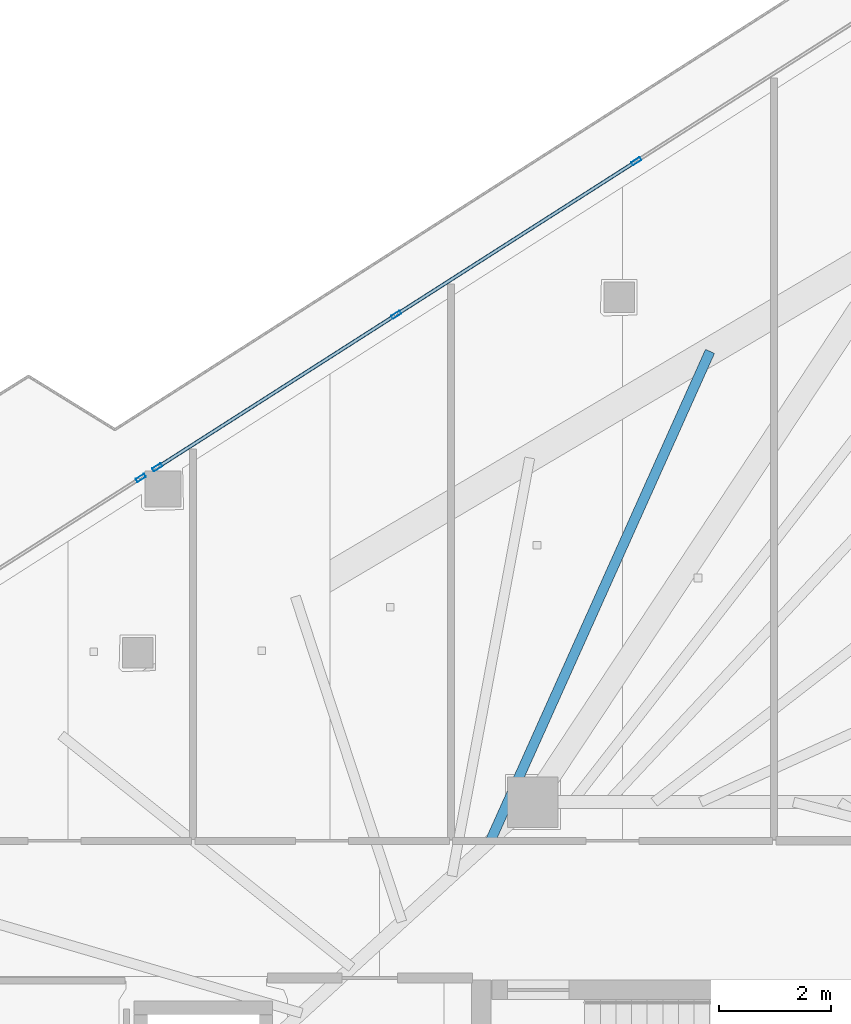
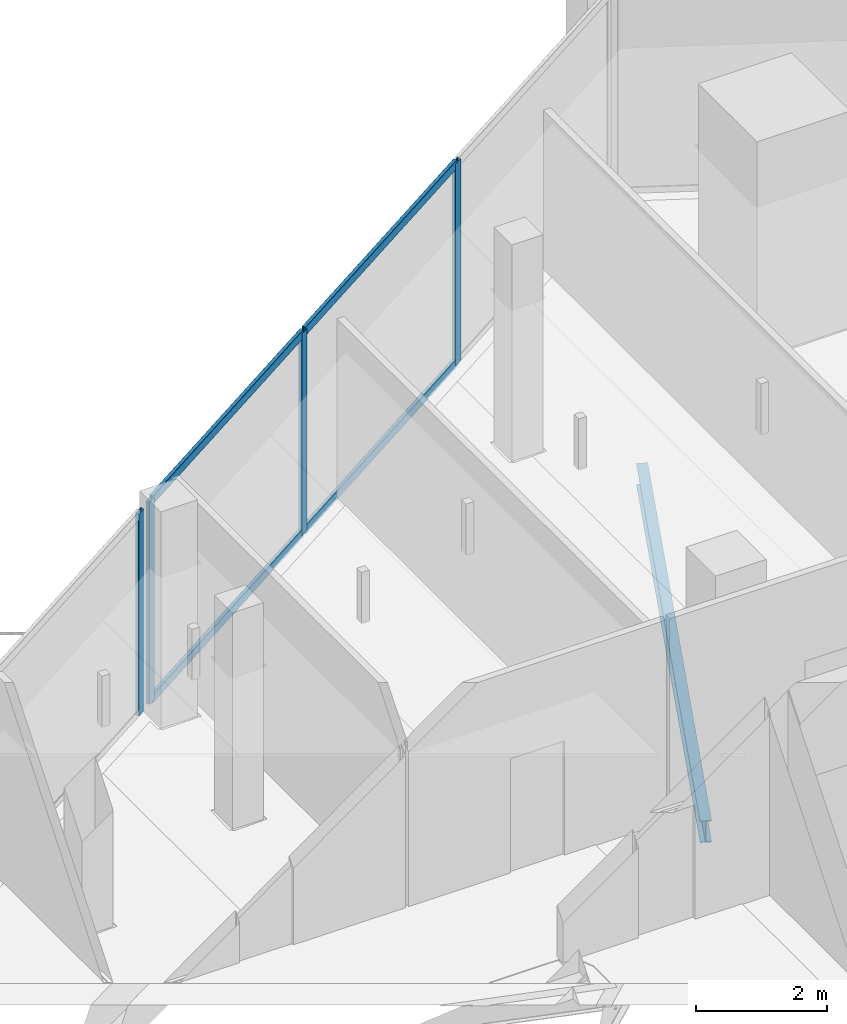
# One storey, part 17 of 36: 8 members, 1 beam, 2 elements without a shape of their own.
"""IFC4 building model written with IfcOpenShell, lengths in metres."""

from ifc_helpers import new_model, si_unit, direction, frame, origin, origin_2d, place, context, subcontext, project, spatial, hollow_rectangle, i_section, extrude, material, layer, layer_set, material_profile, profile_set, type_object, element, aggregate, save


model = new_model("IFC4")

# Units and contexts
model_context = context("Model", 3, precision=1e-05, world=origin(), true_north=direction((0.0, 1.0)))
body_context = subcontext(model_context, "Body", "Model", "MODEL_VIEW")
ifc_project = project(units=[si_unit("LENGTHUNIT", "METRE"), si_unit("AREAUNIT", "SQUARE_METRE"), si_unit("VOLUMEUNIT", "CUBIC_METRE"), si_unit("PLANEANGLEUNIT", "RADIAN"), si_unit("MASSUNIT", "GRAM", prefix="KILO")], contexts=[model_context])

# Site, building, storey
site_placement = place(None, origin())
site = spatial("IfcSite", under=ifc_project, at=site_placement, CompositionType="ELEMENT")
building_placement = place(site_placement, origin())
building = spatial("IfcBuilding", under=site, at=building_placement, Name="Qorvath Tower", CompositionType="ELEMENT")
storey_placement = place(building_placement, frame((0.0, 0.0, 241.5)))
storey = spatial("IfcBuildingStorey", under=building, at=storey_placement, Name="L56", CompositionType="ELEMENT", Elevation=241.5)

# Beam
ifc_material_1 = material(Name="Steel ASTM A992 Grade 50", Category="steel")
ifc_material_profile_1 = material_profile(ifc_material_1, i_section(OverallWidth=0.177978515625, OverallDepth=0.406005859375, WebThickness=0.0078125, FlangeThickness=0.0126953125, FilletRadius=0.010986328125, at=origin_2d()), Name="W16x40")
ifc_profile_set_1 = profile_set([ifc_material_profile_1], Name="Steel ASTM A992 Grade 50")
beam_type = type_object("IfcBeamType", Name="BM-FJ3", PredefinedType="JOIST", material=ifc_profile_set_1)
beam_placement = place(storey_placement, frame((-24.35888671875, 10.757080078125, -0.472900390625), z_axis=(0.409327209141, 0.912387656568, 0.0), x_axis=(-0.912387656568, 0.409327209141, 0.0)))
element("IfcBeam", 1, at=beam_placement, inside=storey, type_object=beam_type, Name="Composite Floor Joist NW7 L56", PredefinedType="JOIST", context=body_context, shape_type="SweptSolid", body=[
    extrude(i_section(OverallWidth=0.177978515625, OverallDepth=0.406005859375, WebThickness=0.0078125, FlangeThickness=0.0126953125, FilletRadius=0.010986328125, at=origin_2d()), origin(), (0.0, 0.0, 1.0), 9.611083984375),
])

# Curtain wall, members
ifc_material_2 = material(Name="Anodised aluminium and triple low-E glass", Category="aluminium")
ifc_layer = layer(ifc_material_2, 0.179931640625)
ifc_layer_set = layer_set([ifc_layer], Name="CW-SYS-3")
curtain_wall_type = type_object("IfcCurtainWallType", Name="CW-SYS-3", PredefinedType="NOTDEFINED", material=ifc_layer_set)
curtain_wall_1_placement = place(storey_placement, origin())
curtain_wall_1 = element("IfcCurtainWall", 2, at=curtain_wall_1_placement, inside=storey, type_object=curtain_wall_type, Name="Curtain Wall CW-3 CW-T-L56-16.1", PredefinedType="NOTDEFINED")
ifc_material_3 = material(Name="Anodised aluminium 6063-T6", Category="aluminium")
ifc_material_profile_2 = material_profile(ifc_material_3, hollow_rectangle(XDim=0.06494140625, YDim=0.179931640625, WallThickness=0.00341796875, InnerFilletRadius=0.00341796875, OuterFilletRadius=0.007080078125, at=origin_2d()), Name="CWM 180x65")
ifc_profile_set_2 = profile_set([ifc_material_profile_2], Name="Anodised aluminium 6063-T6")
member_type_1 = type_object("IfcMemberType", Name="CWM-180", PredefinedType="MULLION", material=ifc_profile_set_2)
member_1_placement = place(storey_placement, frame((-21.74365234375, 22.932373046875, 0.0), z_axis=(0.0, 0.0, 1.0), x_axis=(0.538527235977, -0.842608103516, 0.0)))
member_1 = element("IfcMember", 3, at=member_1_placement, type_object=member_type_1, Name="CW-3 mullion 2", PredefinedType="MULLION", context=body_context, shape_type="SweptSolid", body=[
    extrude(hollow_rectangle(XDim=0.06494140625, YDim=0.179931640625, WallThickness=0.00341796875, InnerFilletRadius=0.00341796875, OuterFilletRadius=0.007080078125, at=origin_2d()), origin(), (0.0, 0.0, 1.0), 3.780029296875),
])
member_2_placement = place(storey_placement, frame((-26.048583984375, 20.18115234375, 0.0), z_axis=(0.0, 0.0, 1.0), x_axis=(0.538527235977, -0.842608103516, 0.0)))
member_2 = element("IfcMember", 4, at=member_2_placement, type_object=member_type_1, Name="CW-3 mullion 3", PredefinedType="MULLION", context=body_context, shape_type="SweptSolid", body=[
    extrude(hollow_rectangle(XDim=0.06494140625, YDim=0.179931640625, WallThickness=0.00341796875, InnerFilletRadius=0.00341796875, OuterFilletRadius=0.007080078125, at=origin_2d()), origin(), (0.0, 0.0, 1.0), 3.780029296875),
])
member_3_placement = place(storey_placement, frame((-30.326171875, 17.447265625, 0.0), z_axis=(0.0, 0.0, 1.0), x_axis=(0.538527235977, -0.842608103516, 0.0)))
member_3 = element("IfcMember", 5, at=member_3_placement, type_object=member_type_1, Name="CW-3 mullion 4", PredefinedType="MULLION", context=body_context, shape_type="SweptSolid", body=[
    extrude(hollow_rectangle(XDim=0.06494140625, YDim=0.179931640625, WallThickness=0.00341796875, InnerFilletRadius=0.00341796875, OuterFilletRadius=0.007080078125, at=origin_2d()), origin(), (0.0, 0.0, 1.0), 3.780029296875),
])

# Curtain wall, member
curtain_wall_2_placement = place(storey_placement, origin())
curtain_wall_2 = element("IfcCurtainWall", 6, at=curtain_wall_2_placement, inside=storey, type_object=curtain_wall_type, Name="Curtain Wall CW-3 CW-T-L56-16.2", PredefinedType="NOTDEFINED")
member_4_placement = place(storey_placement, frame((-30.622314453125, 17.257568359375, 0.0), z_axis=(0.0, 0.0, 1.0), x_axis=(0.538519791825, -0.842612861172, 0.0)))
member_4 = element("IfcMember", 7, at=member_4_placement, type_object=member_type_1, Name="CW-3 mullion 1", PredefinedType="MULLION", context=body_context, shape_type="SweptSolid", body=[
    extrude(hollow_rectangle(XDim=0.06494140625, YDim=0.179931640625, WallThickness=0.00341796875, InnerFilletRadius=0.00341796875, OuterFilletRadius=0.007080078125, at=origin_2d()), origin(), (0.0, 0.0, 1.0), 3.780029296875),
])
aggregate(curtain_wall_2, [member_4])

# Member
ifc_material_4 = material(Name="Anodised aluminium 6063-T6", Category="aluminium")
ifc_material_profile_3 = material_profile(ifc_material_4, hollow_rectangle(XDim=0.06494140625, YDim=0.159912109375, WallThickness=0.00341796875, InnerFilletRadius=0.00341796875, OuterFilletRadius=0.007080078125, at=origin_2d()), Name="CWT 160x65")
ifc_profile_set_3 = profile_set([ifc_material_profile_3], Name="Anodised aluminium 6063-T6")
member_type_2 = type_object("IfcMemberType", Name="CWT-160", PredefinedType="USERDEFINED", material=ifc_profile_set_3)
member_5_placement = place(storey_placement, frame((-21.77099609375, 22.9150390625, 0.032470703125), z_axis=(-0.842595599608, -0.53854679975, 0.0), x_axis=(0.53854679975, -0.842595599608, 0.0)))
member_5 = element("IfcMember", 8, at=member_5_placement, type_object=member_type_2, Name="CW-3 transom 2.1", ObjectType="TRANSOM", PredefinedType="USERDEFINED", context=body_context, shape_type="SweptSolid", body=[
    extrude(hollow_rectangle(XDim=0.06494140625, YDim=0.159912109375, WallThickness=0.00341796875, InnerFilletRadius=0.00341796875, OuterFilletRadius=0.007080078125, at=origin_2d()), origin(), (0.0, 0.0, 1.0), 5.044189453125),
])

member_6_placement = place(storey_placement, frame((-21.77099609375, 22.9150390625, 3.74755859375), z_axis=(-0.842595599608, -0.53854679975, 0.0), x_axis=(0.53854679975, -0.842595599608, 0.0)))
member_6 = element("IfcMember", 9, at=member_6_placement, type_object=member_type_2, Name="CW-3 transom 2.2", ObjectType="TRANSOM", PredefinedType="USERDEFINED", context=body_context, shape_type="SweptSolid", body=[
    extrude(hollow_rectangle(XDim=0.06494140625, YDim=0.159912109375, WallThickness=0.00341796875, InnerFilletRadius=0.00341796875, OuterFilletRadius=0.007080078125, at=origin_2d()), origin(), (0.0, 0.0, 1.0), 5.044189453125),
])

member_7_placement = place(storey_placement, frame((-26.075927734375, 20.16357421875, 0.032470703125), z_axis=(-0.842604772239, -0.538532448234, 0.0), x_axis=(0.538532448234, -0.842604772239, 0.0)))
member_7 = element("IfcMember", 10, at=member_7_placement, type_object=member_type_2, Name="CW-3 transom 3.1", ObjectType="TRANSOM", PredefinedType="USERDEFINED", context=body_context, shape_type="SweptSolid", body=[
    extrude(hollow_rectangle(XDim=0.06494140625, YDim=0.159912109375, WallThickness=0.00341796875, InnerFilletRadius=0.00341796875, OuterFilletRadius=0.007080078125, at=origin_2d()), origin(), (0.0, 0.0, 1.0), 5.01171875),
])

member_8_placement = place(storey_placement, frame((-26.075927734375, 20.16357421875, 3.74755859375), z_axis=(-0.842604772239, -0.538532448234, 0.0), x_axis=(0.538532448234, -0.842604772239, 0.0)))
member_8 = element("IfcMember", 11, at=member_8_placement, type_object=member_type_2, Name="CW-3 transom 3.2", ObjectType="TRANSOM", PredefinedType="USERDEFINED", context=body_context, shape_type="SweptSolid", body=[
    extrude(hollow_rectangle(XDim=0.06494140625, YDim=0.159912109375, WallThickness=0.00341796875, InnerFilletRadius=0.00341796875, OuterFilletRadius=0.007080078125, at=origin_2d()), origin(), (0.0, 0.0, 1.0), 5.01171875),
])

aggregate(curtain_wall_1, [member_1, member_2, member_3, member_5, member_6, member_7, member_8])

save(model, "model.ifc")
